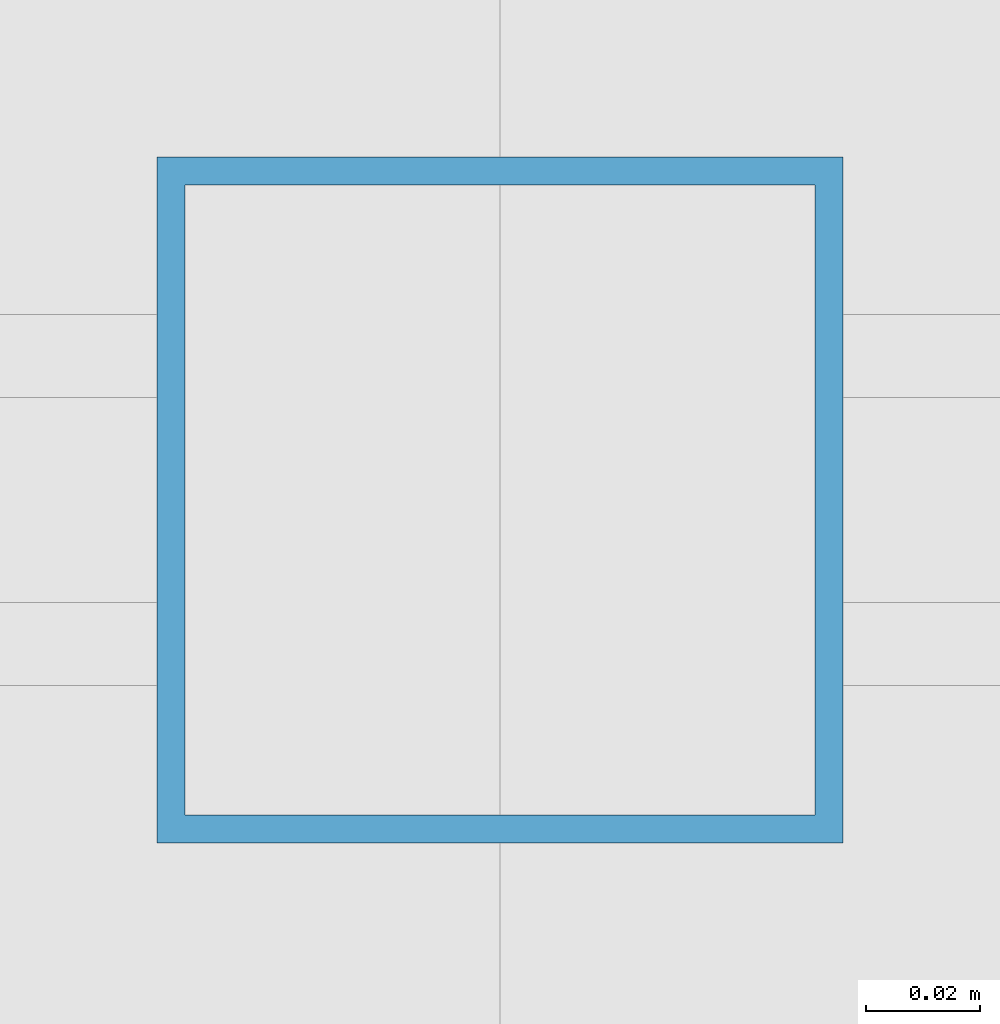
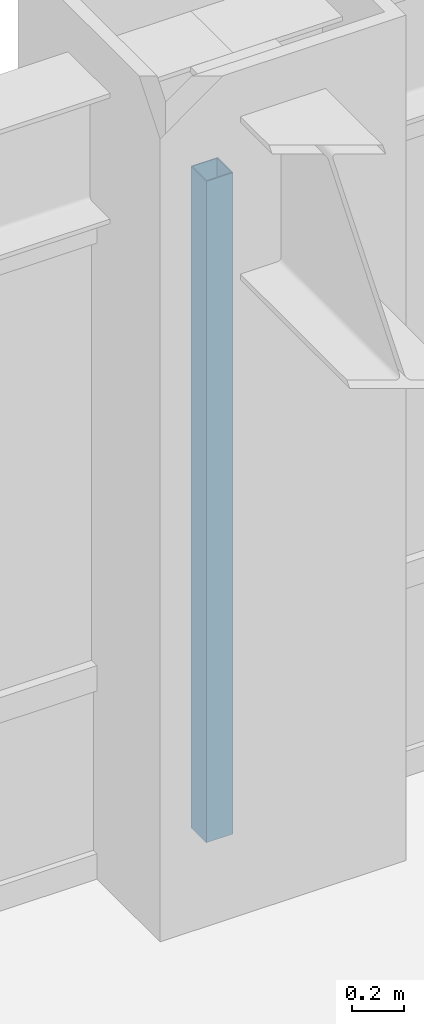
# One storey, part 16 of 24: 1 member, 1 element without a shape of its own.
"""IFC4 building model written with IfcOpenShell, lengths in metres."""

from ifc_helpers import new_model, si_unit, direction, frame, origin, origin_2d, place, context, subcontext, project, spatial, hollow_rectangle, extrude, source, transform, mapped, material, material_profile, profile_set, type_object, element, aggregate, save


model = new_model("IFC4")

# Units and contexts
model_context = context("Model", 3, precision=1e-05, world=origin(), true_north=direction((0.0, 1.0)))
body_context = subcontext(model_context, "Body", "Model", "MODEL_VIEW")
ifc_project = project(units=[si_unit("LENGTHUNIT", "METRE"), si_unit("AREAUNIT", "SQUARE_METRE"), si_unit("VOLUMEUNIT", "CUBIC_METRE"), si_unit("PLANEANGLEUNIT", "RADIAN"), si_unit("MASSUNIT", "GRAM", prefix="KILO")], contexts=[model_context])

# Site, building, storey
site_placement = place(None, origin())
site = spatial("IfcSite", under=ifc_project, at=site_placement, CompositionType="ELEMENT")
building_placement = place(site_placement, origin())
building = spatial("IfcBuilding", under=site, at=building_placement, Name="Khorayat Bourse Tower", CompositionType="ELEMENT")
storey_placement = place(building_placement, frame((0.0, 0.0, 171.10009765625)))
storey = spatial("IfcBuildingStorey", under=building, at=storey_placement, Name="L39", CompositionType="ELEMENT", Elevation=171.10009765625)

# Curtain wall, member
ifc_material = material(Name="Aluminium EN AW-6063 T6", Category="aluminium")
curtain_wall_type = type_object("IfcCurtainWallType", Name="CW-SYS-03", PredefinedType="NOTDEFINED", material=ifc_material)
curtain_wall_placement = place(storey_placement, origin())
curtain_wall = element("IfcCurtainWall", 1, at=curtain_wall_placement, inside=storey, type_object=curtain_wall_type, Name="L39 Curtain Wall CW-L39-N1", PredefinedType="NOTDEFINED")
ifc_material_profile = material_profile(ifc_material, hollow_rectangle(XDim=0.1201171875, YDim=0.1201171875, WallThickness=0.0048828125, at=origin_2d()), Name="ALU 120x120x5")
ifc_profile_set = profile_set([ifc_material_profile], Name="Aluminium EN AW-6063 T6")
member_type = type_object("IfcMemberType", Name="CWM-VERT-120", PredefinedType="MULLION", material=ifc_profile_set)
shared_shape = source(origin(), body_context, "Body", "SweptSolid", [
    extrude(hollow_rectangle(XDim=0.1201171875, YDim=0.1201171875, WallThickness=0.0048828125, at=origin_2d()), origin(), (0.0, 0.0, 1.0), 3.1298828125),
])
member_placement = place(storey_placement, frame((0.0, 30.0, 0.0), z_axis=(0.0, 0.0, 1.0), x_axis=(0.0, 1.0, 0.0)))
member = element("IfcMember", 2, at=member_placement, type_object=member_type, Name="CW-L39-N1 Vertical Mullion 2", PredefinedType="MULLION", context=body_context, shape_type="MappedRepresentation", body=[
    mapped(shared_shape, transform((0.0, 0.0, 0.0), scale=1.0)),
])
aggregate(curtain_wall, [member])

save(model, "model.ifc")
